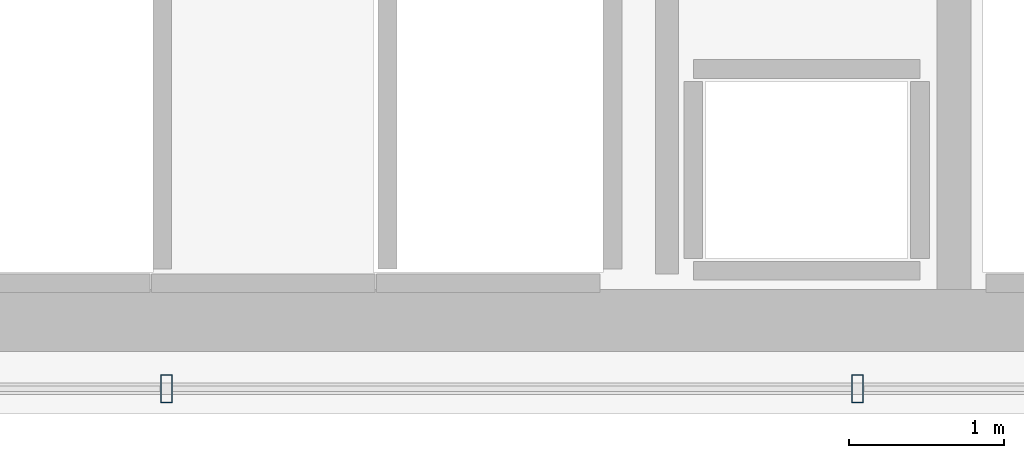
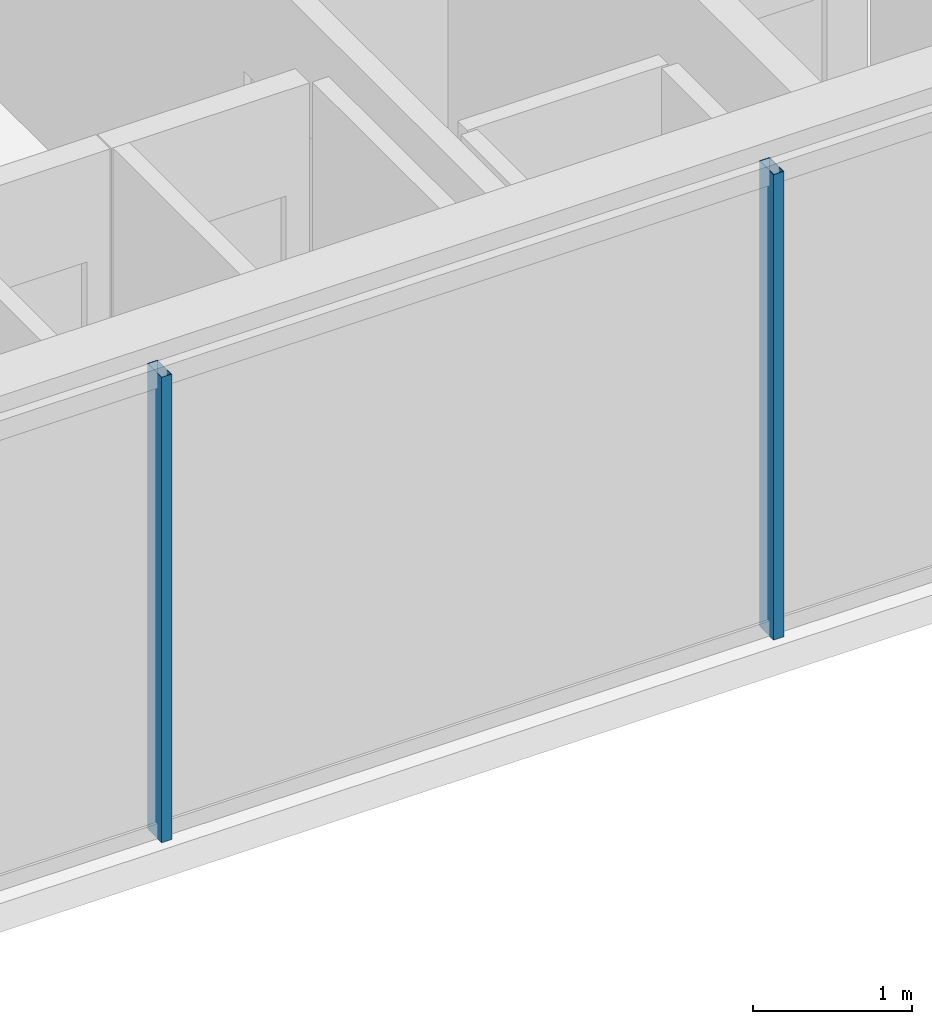
# One storey, part 9 of 32: 2 members, 1 element without a shape of its own.
"""IFC4 building model written with IfcOpenShell, lengths in metres."""

from ifc_helpers import new_model, si_unit, direction, frame, origin, origin_2d, place, context, subcontext, project, spatial, hollow_rectangle, extrude, material, layer, layer_set, material_profile, profile_set, type_object, element, aggregate, save


model = new_model("IFC4")

# Units and contexts
model_context = context("Model", 3, precision=1e-05, world=origin(), true_north=direction((0.0, 1.0)))
body_context = subcontext(model_context, "Body", "Model", "MODEL_VIEW")
ifc_project = project(units=[si_unit("LENGTHUNIT", "METRE"), si_unit("AREAUNIT", "SQUARE_METRE"), si_unit("VOLUMEUNIT", "CUBIC_METRE"), si_unit("PLANEANGLEUNIT", "RADIAN"), si_unit("MASSUNIT", "GRAM", prefix="KILO")], contexts=[model_context])

# Site, building, storey
site_placement = place(None, origin())
site = spatial("IfcSite", under=ifc_project, at=site_placement, CompositionType="ELEMENT")
building_placement = place(site_placement, origin())
building = spatial("IfcBuilding", under=site, at=building_placement, Name="Ndaravel Arena Tower", CompositionType="ELEMENT")
storey_placement = place(building_placement, frame((0.0, 0.0, 287.10009765625)))
storey = spatial("IfcBuildingStorey", under=building, at=storey_placement, Name="L70", CompositionType="ELEMENT", Elevation=287.10009765625)

# Curtain wall, members
ifc_material_1 = material(Name="Aluminium", Category="aluminium")
ifc_layer = layer(ifc_material_1, 0.179931640625)
ifc_layer_set = layer_set([ifc_layer], Name="Aluminium")
curtain_wall_type = type_object("IfcCurtainWallType", Name="CW-SYS-03", PredefinedType="NOTDEFINED", material=ifc_layer_set)
curtain_wall_placement = place(storey_placement, origin())
curtain_wall = element("IfcCurtainWall", 1, at=curtain_wall_placement, inside=storey, type_object=curtain_wall_type, Name="L70 Faceted Crystal Curtain Wall CW-L70-E01", PredefinedType="NOTDEFINED")
ifc_material_2 = material(Name="Aluminium", Category="aluminium")
ifc_material_profile = material_profile(ifc_material_2, hollow_rectangle(XDim=0.074951171875, YDim=0.179931640625, WallThickness=0.00390625, at=origin_2d()), Name="CW MULLION 75x180x4")
ifc_profile_set = profile_set([ifc_material_profile], Name="Aluminium")
member_type = type_object("IfcMemberType", Name="MEM-CW-MUL180", PredefinedType="MULLION", material=ifc_profile_set)
member_1_placement = place(storey_placement, frame((44.22607421875, 5.159912109375, 0.0), z_axis=(0.0, 0.0, 1.0), x_axis=(1.0, 0.0, 0.0)))
member_1 = element("IfcMember", 2, at=member_1_placement, type_object=member_type, Name="CW-L70-E01 Mullion 05", PredefinedType="MULLION", context=body_context, shape_type="SweptSolid", body=[
    extrude(hollow_rectangle(XDim=0.074951171875, YDim=0.179931640625, WallThickness=0.00390625, at=origin_2d()), origin(), (0.0, 0.0, 1.0), 3.579833984375),
])
member_2_placement = place(storey_placement, frame((48.678466796875, 5.159912109375, 0.0), z_axis=(0.0, 0.0, 1.0), x_axis=(1.0, 0.0, 0.0)))
member_2 = element("IfcMember", 3, at=member_2_placement, type_object=member_type, Name="CW-L70-E01 Mullion 06", PredefinedType="MULLION", context=body_context, shape_type="SweptSolid", body=[
    extrude(hollow_rectangle(XDim=0.074951171875, YDim=0.179931640625, WallThickness=0.00390625, at=origin_2d()), origin(), (0.0, 0.0, 1.0), 3.579833984375),
])
aggregate(curtain_wall, [member_1, member_2])

save(model, "model.ifc")
